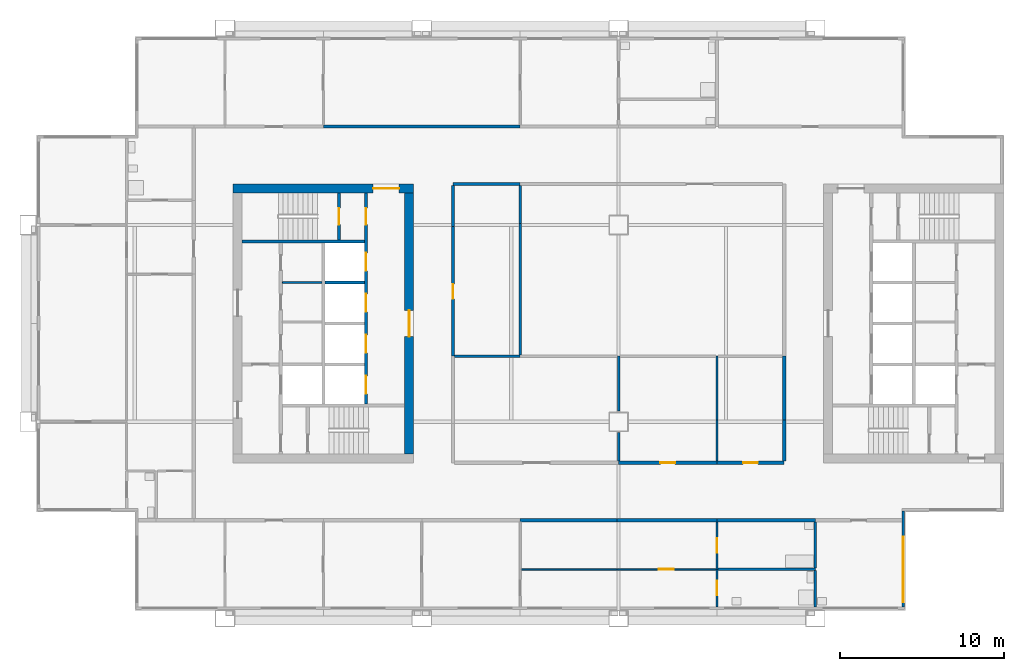
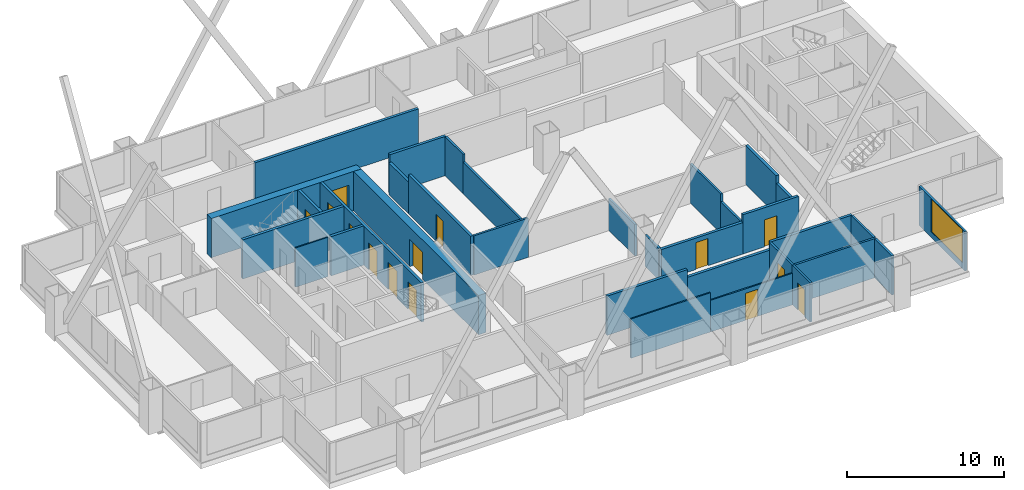
# One storey, part 4 of 9: 33 walls, 14 doors, 1 window, 15 openings.
"""IFC4 building model written with IfcOpenShell, lengths in metres."""

from ifc_helpers import new_model, si_unit, direction, frame, frame_2d, origin, place, context, subcontext, project, spatial, rectangle, extrude, material, layer, layer_set, type_object, element, fill, save


model = new_model("IFC4")

# Units and contexts
model_context = context("Model", 3, precision=1e-05, world=origin(), true_north=direction((0.0, 1.0)))
body_context = subcontext(model_context, "Body", "Model", "MODEL_VIEW")
ifc_project = project(units=[si_unit("LENGTHUNIT", "METRE"), si_unit("AREAUNIT", "SQUARE_METRE"), si_unit("VOLUMEUNIT", "CUBIC_METRE"), si_unit("PLANEANGLEUNIT", "RADIAN"), si_unit("MASSUNIT", "GRAM", prefix="KILO")], contexts=[model_context])

# Site, building, storey
site_placement = place(None, origin())
site = spatial("IfcSite", under=ifc_project, at=site_placement, CompositionType="ELEMENT")
building_placement = place(site_placement, origin())
building = spatial("IfcBuilding", under=site, at=building_placement, Name="Kitamizu Gate Tower and Museum", CompositionType="ELEMENT")
storey_placement = place(building_placement, frame((0.0, 0.0, 192.75)))
storey = spatial("IfcBuildingStorey", under=building, at=storey_placement, Name="L51", CompositionType="ELEMENT", Elevation=192.75)

# Wall, opening, door
ifc_material_1 = material(Name="Concrete Fc42", Category="concrete")
ifc_layer_1 = layer(ifc_material_1, 0.550048828125)
ifc_layer_set_1 = layer_set([ifc_layer_1], Name="Concrete Fc42")
wall_type_1 = type_object("IfcWallType", Name="Core wall 550", PredefinedType="SHEAR", material=ifc_layer_set_1)
wall_1_placement = place(storey_placement, frame((12.5, 38.22509765625, 0.0), z_axis=(0.0, 0.0, 1.0), x_axis=(1.0, 0.0, 0.0)))
wall_1 = element("IfcWall", 1, at=wall_1_placement, inside=storey, type_object=wall_type_1, Name="Core wall WN", PredefinedType="SHEAR", context=body_context, shape_type="SweptSolid", body=[
    extrude(rectangle(XDim=11.0, YDim=0.550048828125, at=frame_2d((5.5, 0.0))), origin(), (0.0, 0.0, 1.0), 3.050048828125),
])
opening_1_placement = place(wall_1_placement, frame((8.52490234375, 0.0, 0.0)))
opening_1 = element("IfcOpeningElement", 2, at=opening_1_placement, cuts=wall_1, Name="Opening L51-037", PredefinedType="OPENING", context=body_context, shape_type="SweptSolid", body=[
    extrude(rectangle(XDim=1.60009765625, YDim=2.10009765625, at=frame_2d((0.800048828125, 1.050048828125))), frame((0.0, 0.28515625, 0.0), z_axis=(0.0, -1.0, 0.0), x_axis=(1.0, 0.0, 0.0)), (0.0, 0.0, 1.0), 0.570068359375),
])
ifc_material_2 = material(Name="Timber door set", Category="wood")
door_type_1 = type_object("IfcDoorType", Name="Entrance door 1600", OperationType="DOUBLE_DOOR_SINGLE_SWING", PredefinedType="DOOR", material=ifc_material_2)
door_1_placement = place(opening_1_placement, origin())
door_1 = element("IfcDoor", 3, at=door_1_placement, inside=storey, type_object=door_type_1, Name="Lobby door L51-037", OperationType="DOUBLE_DOOR_SINGLE_SWING", OverallHeight=2.10009765625, OverallWidth=1.60009765625, PredefinedType="DOOR", context=body_context, shape_type="SweptSolid", body=[
    extrude(rectangle(XDim=1.60009765625, YDim=2.10009765625, at=frame_2d((0.800048828125, 1.050048828125))), frame((0.0, 0.02490234375, 0.0), z_axis=(0.0, -1.0, 0.0), x_axis=(1.0, 0.0, 0.0)), (0.0, 0.0, 1.0), 0.050048828125),
])
fill(opening_1, door_1)

wall_2_placement = place(storey_placement, frame((23.22509765625, 22.050048828125, 0.0), z_axis=(0.0, 0.0, 1.0), x_axis=(0.0, 1.0, 0.0)))
wall_2 = element("IfcWall", 4, at=wall_2_placement, inside=storey, type_object=wall_type_1, Name="Core wall WARC", PredefinedType="SHEAR", context=body_context, shape_type="SweptSolid", body=[
    extrude(rectangle(XDim=15.89990234375, YDim=0.550048828125, at=frame_2d((7.949951171875, 0.0))), origin(), (0.0, 0.0, 1.0), 3.050048828125),
])
opening_2_placement = place(wall_2_placement, frame((7.14990234375, 0.0, 0.0)))
opening_2 = element("IfcOpeningElement", 5, at=opening_2_placement, cuts=wall_2, Name="Opening L51-038", PredefinedType="OPENING", context=body_context, shape_type="SweptSolid", body=[
    extrude(rectangle(XDim=1.60009765625, YDim=2.10009765625, at=frame_2d((0.800048828125, 1.050048828125))), frame((0.0, 0.28515625, 0.0), z_axis=(0.0, -1.0, 0.0), x_axis=(1.0, 0.0, 0.0)), (0.0, 0.0, 1.0), 0.570068359375),
])
door_2_placement = place(opening_2_placement, origin())
door_2 = element("IfcDoor", 6, at=door_2_placement, inside=storey, type_object=door_type_1, Name="Lobby door L51-038", OperationType="DOUBLE_DOOR_SINGLE_SWING", OverallHeight=2.10009765625, OverallWidth=1.60009765625, PredefinedType="DOOR", context=body_context, shape_type="SweptSolid", body=[
    extrude(rectangle(XDim=1.60009765625, YDim=2.10009765625, at=frame_2d((0.800048828125, 1.050048828125))), frame((0.0, 0.02490234375, 0.0), z_axis=(0.0, -1.0, 0.0), x_axis=(1.0, 0.0, 0.0)), (0.0, 0.0, 1.0), 0.050048828125),
])
fill(opening_2, door_2)

# Wall
ifc_material_3 = material(Name="Gypsum board on galvanised stud")
ifc_layer_2 = layer(ifc_material_3, 0.10009765625)
ifc_layer_set_2 = layer_set([ifc_layer_2], Name="Gypsum board on galvanised stud")
wall_type_2 = type_object("IfcWallType", Name="Partition 100", PredefinedType="PARTITIONING", material=ifc_layer_set_2)
wall_3_placement = place(storey_placement, frame((15.5, 32.490966796875, 0.0), z_axis=(0.0, 0.0, 1.0), x_axis=(1.0, 0.0, 0.0)))
element("IfcWall", 7, at=wall_3_placement, inside=storey, type_object=wall_type_2, Name="Partition WPF2", PredefinedType="PARTITIONING", context=body_context, shape_type="SweptSolid", body=[
    extrude(rectangle(XDim=2.39990234375, YDim=0.10009765625, at=frame_2d((1.199951171875, 0.0))), origin(), (0.0, 0.0, 1.0), 3.050048828125),
])

# Wall, opening, door
ifc_material_4 = material(Name="Gypsum board on galvanised stud")
ifc_layer_3 = layer(ifc_material_4, 0.10009765625)
ifc_layer_set_3 = layer_set([ifc_layer_3], Name="Gypsum board on galvanised stud")
wall_type_3 = type_object("IfcWallType", Name="Partition 100 NOT RATED", PredefinedType="PARTITIONING", material=ifc_layer_set_3)
wall_4_placement = place(storey_placement, frame((41.925048828125, 15.0, 0.0), z_axis=(0.0, 0.0, 1.0), x_axis=(-1.0, 0.0, 0.0)))
wall_4 = element("IfcWall", 8, at=wall_4_placement, inside=storey, type_object=wall_type_3, Name="Partition L51-012", PredefinedType="PARTITIONING", context=body_context, shape_type="SweptSolid", body=[
    extrude(rectangle(XDim=6.025146484375, YDim=0.10009765625, at=frame_2d((3.0126953125, 0.0))), origin(), (0.0, 0.0, 1.0), 2.449951171875),
])
opening_3_placement = place(wall_4_placement, frame((2.5625, 0.0, 0.0)))
opening_3 = element("IfcOpeningElement", 9, at=opening_3_placement, cuts=wall_4, Name="Opening L51-006", PredefinedType="OPENING", context=body_context, shape_type="SweptSolid", body=[
    extrude(rectangle(XDim=0.89990234375, YDim=2.10009765625, at=frame_2d((0.449951171875, 1.050048828125))), frame((0.0, 0.06005859375, 0.0), z_axis=(0.0, -1.0, 0.0), x_axis=(1.0, 0.0, 0.0)), (0.0, 0.0, 1.0), 0.1201171875),
])
ifc_material_5 = material(Name="Timber door set", Category="wood")
door_type_2 = type_object("IfcDoorType", Name="Room door 900", OperationType="NOTDEFINED", PredefinedType="DOOR", material=ifc_material_5)
door_3_placement = place(opening_3_placement, origin())
door_3 = element("IfcDoor", 10, at=door_3_placement, inside=storey, type_object=door_type_2, Name="Door L51-006", OperationType="SINGLE_SWING_LEFT", OverallHeight=2.10009765625, OverallWidth=0.89990234375, PredefinedType="DOOR", context=body_context, shape_type="SweptSolid", body=[
    extrude(rectangle(XDim=0.89990234375, YDim=2.10009765625, at=frame_2d((0.449951171875, 1.050048828125))), frame((0.0, 0.02490234375, 0.0), z_axis=(0.0, -1.0, 0.0), x_axis=(1.0, 0.0, 0.0)), (0.0, 0.0, 1.0), 0.050048828125),
])
fill(opening_3, door_3)

# Wall
wall_5_placement = place(storey_placement, frame((35.89990234375, 15.0, 0.0), z_axis=(0.0, 0.0, 1.0), x_axis=(-1.0, 0.0, 0.0)))
element("IfcWall", 11, at=wall_5_placement, inside=storey, type_object=wall_type_3, Name="Partition L51-013", PredefinedType="PARTITIONING", context=body_context, shape_type="SweptSolid", body=[
    extrude(rectangle(XDim=5.849853515625, YDim=0.10009765625, at=frame_2d((2.9248046875, 0.0))), origin(), (0.0, 0.0, 1.0), 3.050048828125),
])

# Wall, opening, door
ifc_material_6 = material(Name="Gypsum board on galvanised stud")
ifc_layer_4 = layer(ifc_material_6, 0.14990234375)
ifc_layer_set_4 = layer_set([ifc_layer_4], Name="Gypsum board on galvanised stud")
wall_type_4 = type_object("IfcWallType", Name="Partition 150", PredefinedType="PARTITIONING", material=ifc_layer_set_4)
wall_6_placement = place(storey_placement, frame((42.0, 12.719970703125, 0.0), z_axis=(0.0, 0.0, 1.0), x_axis=(0.0, 1.0, 0.0)))
wall_6 = element("IfcWall", 12, at=wall_6_placement, inside=storey, type_object=wall_type_4, Name="Partition L51-014", PredefinedType="PARTITIONING", context=body_context, shape_type="SweptSolid", body=[
    extrude(rectangle(XDim=2.280029296875, YDim=0.14990234375, at=frame_2d((1.14013671875, 0.0))), origin(), (0.0, 0.0, 1.0), 3.050048828125),
])
opening_4_placement = place(wall_6_placement, frame((0.68994140625, 0.0, 0.0)))
opening_4 = element("IfcOpeningElement", 13, at=opening_4_placement, cuts=wall_6, Name="Opening L51-007", PredefinedType="OPENING", context=body_context, shape_type="SweptSolid", body=[
    extrude(rectangle(XDim=0.89990234375, YDim=2.10009765625, at=frame_2d((0.449951171875, 1.050048828125))), frame((0.0, 0.0849609375, 0.0), z_axis=(0.0, -1.0, 0.0), x_axis=(1.0, 0.0, 0.0)), (0.0, 0.0, 1.0), 0.169921875),
])
ifc_material_7 = material(Name="Timber door set", Category="wood")
door_type_3 = type_object("IfcDoorType", Name="Bathroom door 900", OperationType="NOTDEFINED", PredefinedType="DOOR", material=ifc_material_7)
door_4_placement = place(opening_4_placement, frame((0.89990234375, 0.0, 0.0), x_axis=(-1.0, 0.0, 0.0)))
door_4 = element("IfcDoor", 14, at=door_4_placement, inside=storey, type_object=door_type_3, Name="Bathroom door L51-007", OperationType="SINGLE_SWING_LEFT", OverallHeight=2.10009765625, OverallWidth=0.89990234375, PredefinedType="DOOR", context=body_context, shape_type="SweptSolid", body=[
    extrude(rectangle(XDim=0.89990234375, YDim=2.10009765625, at=frame_2d((0.449951171875, 1.050048828125))), frame((0.0, 0.02490234375, 0.0), z_axis=(0.0, -1.0, 0.0), x_axis=(1.0, 0.0, 0.0)), (0.0, 0.0, 1.0), 0.050048828125),
])
fill(opening_4, door_4)

wall_7_placement = place(storey_placement, frame((42.0, 15.0, 0.0), z_axis=(0.0, 0.0, 1.0), x_axis=(0.0, 1.0, 0.0)))
wall_7 = element("IfcWall", 15, at=wall_7_placement, inside=storey, type_object=wall_type_4, Name="Partition L51-015", PredefinedType="PARTITIONING", context=body_context, shape_type="SweptSolid", body=[
    extrude(rectangle(XDim=2.89990234375, YDim=0.14990234375, at=frame_2d((1.449951171875, 0.0))), origin(), (0.0, 0.0, 1.0), 3.050048828125),
])
opening_5_placement = place(wall_7_placement, frame((1.0, 0.0, 0.0)))
opening_5 = element("IfcOpeningElement", 16, at=opening_5_placement, cuts=wall_7, Name="Opening L51-008", PredefinedType="OPENING", context=body_context, shape_type="SweptSolid", body=[
    extrude(rectangle(XDim=0.89990234375, YDim=2.10009765625, at=frame_2d((0.449951171875, 1.050048828125))), frame((0.0, 0.0849609375, 0.0), z_axis=(0.0, -1.0, 0.0), x_axis=(1.0, 0.0, 0.0)), (0.0, 0.0, 1.0), 0.169921875),
])
door_5_placement = place(opening_5_placement, frame((0.89990234375, 0.0, 0.0), x_axis=(-1.0, 0.0, 0.0)))
door_5 = element("IfcDoor", 17, at=door_5_placement, inside=storey, type_object=door_type_3, Name="Bathroom door L51-008", OperationType="SINGLE_SWING_RIGHT", OverallHeight=2.10009765625, OverallWidth=0.89990234375, PredefinedType="DOOR", context=body_context, shape_type="SweptSolid", body=[
    extrude(rectangle(XDim=0.89990234375, YDim=2.10009765625, at=frame_2d((0.449951171875, 1.050048828125))), frame((0.0, 0.02490234375, 0.0), z_axis=(0.0, -1.0, 0.0), x_axis=(1.0, 0.0, 0.0)), (0.0, 0.0, 1.0), 0.050048828125),
])
fill(opening_5, door_5)

# Walls
wall_8_placement = place(storey_placement, frame((48.0, 15.0, 0.0), z_axis=(0.0, 0.0, 1.0), x_axis=(-1.0, 0.0, 0.0)))
element("IfcWall", 18, at=wall_8_placement, inside=storey, type_object=wall_type_4, Name="Partition L51-018", PredefinedType="PARTITIONING", context=body_context, shape_type="SweptSolid", body=[
    extrude(rectangle(XDim=5.925048828125, YDim=0.14990234375, at=frame_2d((2.96240234375, 0.0))), origin(), (0.0, 0.0, 1.0), 3.050048828125),
])
wall_9_placement = place(storey_placement, frame((48.0, 12.719970703125, 0.0), z_axis=(0.0, 0.0, 1.0), x_axis=(0.0, 1.0, 0.0)))
element("IfcWall", 19, at=wall_9_placement, inside=storey, type_object=wall_type_4, Name="Partition L51-019", PredefinedType="PARTITIONING", context=body_context, shape_type="SweptSolid", body=[
    extrude(rectangle(XDim=2.205078125, YDim=0.14990234375, at=frame_2d((1.1025390625, 0.0))), origin(), (0.0, 0.0, 1.0), 3.050048828125),
])
wall_10_placement = place(storey_placement, frame((48.0, 15.074951171875, 0.0), z_axis=(0.0, 0.0, 1.0), x_axis=(0.0, 1.0, 0.0)))
element("IfcWall", 20, at=wall_10_placement, inside=storey, type_object=wall_type_4, Name="Partition L51-020", PredefinedType="PARTITIONING", context=body_context, shape_type="SweptSolid", body=[
    extrude(rectangle(XDim=2.824951171875, YDim=0.14990234375, at=frame_2d((1.41259765625, 0.0))), origin(), (0.0, 0.0, 1.0), 3.050048828125),
])
wall_11_placement = place(storey_placement, frame((36.0, 21.60009765625, 0.0), z_axis=(0.0, 0.0, 1.0), x_axis=(0.0, 1.0, 0.0)))
element("IfcWall", 21, at=wall_11_placement, inside=storey, type_object=wall_type_4, Name="Partition L51-071", PredefinedType="PARTITIONING", context=body_context, shape_type="SweptSolid", body=[
    extrude(rectangle(XDim=1.75, YDim=0.14990234375, at=frame_2d((0.875, 0.0))), origin(), (0.0, 0.0, 1.0), 2.449951171875),
])
wall_12_placement = place(storey_placement, frame((36.0, 24.64990234375, 0.0), z_axis=(0.0, 0.0, 1.0), x_axis=(0.0, 1.0, 0.0)))
element("IfcWall", 22, at=wall_12_placement, inside=storey, type_object=wall_type_4, Name="Partition L51-072", PredefinedType="PARTITIONING", context=body_context, shape_type="SweptSolid", body=[
    extrude(rectangle(XDim=3.35009765625, YDim=0.14990234375, at=frame_2d((1.675048828125, 0.0))), origin(), (0.0, 0.0, 1.0), 2.449951171875),
])
wall_13_placement = place(storey_placement, frame((30.0, 28.0, 0.0), z_axis=(0.0, 0.0, 1.0), x_axis=(-1.0, 0.0, 0.0)))
element("IfcWall", 23, at=wall_13_placement, inside=storey, type_object=wall_type_4, Name="Partition L51-073", PredefinedType="PARTITIONING", context=body_context, shape_type="SweptSolid", body=[
    extrude(rectangle(XDim=4.0, YDim=0.14990234375, at=frame_2d((2.0, 0.0))), origin(), (0.0, 0.0, 1.0), 3.050048828125),
])
wall_14_placement = place(storey_placement, frame((42.0, 21.60009765625, 0.0), z_axis=(0.0, 0.0, 1.0), x_axis=(0.0, 1.0, 0.0)))
element("IfcWall", 24, at=wall_14_placement, inside=storey, type_object=wall_type_4, Name="Partition L51-075", PredefinedType="PARTITIONING", context=body_context, shape_type="SweptSolid", body=[
    extrude(rectangle(XDim=2.5, YDim=0.14990234375, at=frame_2d((1.25, 0.0))), origin(), (0.0, 0.0, 1.0), 2.449951171875),
])
wall_15_placement = place(storey_placement, frame((42.0, 24.10009765625, 0.0), z_axis=(0.0, 0.0, 1.0), x_axis=(0.0, 1.0, 0.0)))
element("IfcWall", 25, at=wall_15_placement, inside=storey, type_object=wall_type_4, Name="Partition L51-076", PredefinedType="PARTITIONING", context=body_context, shape_type="SweptSolid", body=[
    extrude(rectangle(XDim=3.89990234375, YDim=0.14990234375, at=frame_2d((1.949951171875, 0.0))), origin(), (0.0, 0.0, 1.0), 3.050048828125),
])
wall_16_placement = place(storey_placement, frame((30.0, 28.074951171875, 0.0), z_axis=(0.0, 0.0, 1.0), x_axis=(0.0, 1.0, 0.0)))
element("IfcWall", 26, at=wall_16_placement, inside=storey, type_object=wall_type_4, Name="Partition L51-079", PredefinedType="PARTITIONING", context=body_context, shape_type="SweptSolid", body=[
    extrude(rectangle(XDim=8.025146484375, YDim=0.14990234375, at=frame_2d((4.0126953125, 0.0))), origin(), (0.0, 0.0, 1.0), 2.449951171875),
])
wall_17_placement = place(storey_placement, frame((30.0, 36.10009765625, 0.0), z_axis=(0.0, 0.0, 1.0), x_axis=(0.0, 1.0, 0.0)))
element("IfcWall", 27, at=wall_17_placement, inside=storey, type_object=wall_type_4, Name="Partition L51-080", PredefinedType="PARTITIONING", context=body_context, shape_type="SweptSolid", body=[
    extrude(rectangle(XDim=2.2998046875, YDim=0.14990234375, at=frame_2d((1.14990234375, 0.0))), origin(), (0.0, 0.0, 1.0), 3.050048828125),
])
ifc_material_8 = material(Name="Gypsum board on galvanised stud")
ifc_layer_5 = layer(ifc_material_8, 0.199951171875)
ifc_layer_set_5 = layer_set([ifc_layer_5], Name="Gypsum board on galvanised stud")
wall_type_5 = type_object("IfcWallType", Name="Partition 200", PredefinedType="PARTITIONING", material=ifc_layer_set_5)
wall_18_placement = place(storey_placement, frame((42.0, 18.0, 0.0), z_axis=(0.0, 0.0, 1.0), x_axis=(-1.0, 0.0, 0.0)))
element("IfcWall", 28, at=wall_18_placement, inside=storey, type_object=wall_type_5, Name="Partition L51-016", PredefinedType="PARTITIONING", context=body_context, shape_type="SweptSolid", body=[
    extrude(rectangle(XDim=6.10009765625, YDim=0.199951171875, at=frame_2d((3.050048828125, 0.0))), origin(), (0.0, 0.0, 1.0), 2.449951171875),
])
wall_19_placement = place(storey_placement, frame((35.89990234375, 18.0, 0.0), z_axis=(0.0, 0.0, 1.0), x_axis=(-1.0, 0.0, 0.0)))
element("IfcWall", 29, at=wall_19_placement, inside=storey, type_object=wall_type_5, Name="Partition L51-017", PredefinedType="PARTITIONING", context=body_context, shape_type="SweptSolid", body=[
    extrude(rectangle(XDim=5.89990234375, YDim=0.199951171875, at=frame_2d((2.949951171875, 0.0))), origin(), (0.0, 0.0, 1.0), 3.050048828125),
])
wall_20_placement = place(storey_placement, frame((48.0, 18.0, 0.0), z_axis=(0.0, 0.0, 1.0), x_axis=(-1.0, 0.0, 0.0)))
element("IfcWall", 30, at=wall_20_placement, inside=storey, type_object=wall_type_5, Name="Partition L51-021", PredefinedType="PARTITIONING", context=body_context, shape_type="SweptSolid", body=[
    extrude(rectangle(XDim=6.0, YDim=0.199951171875, at=frame_2d((3.0, 0.0))), origin(), (0.0, 0.0, 1.0), 3.050048828125),
])
wall_21_placement = place(storey_placement, frame((18.0, 42.0, 0.0), z_axis=(0.0, 0.0, 1.0), x_axis=(1.0, 0.0, 0.0)))
element("IfcWall", 31, at=wall_21_placement, inside=storey, type_object=wall_type_5, Name="Partition L51-029", PredefinedType="PARTITIONING", context=body_context, shape_type="SweptSolid", body=[
    extrude(rectangle(XDim=12.0, YDim=0.199951171875, at=frame_2d((6.0, 0.0))), origin(), (0.0, 0.0, 1.0), 3.050048828125),
])

# Wall, opening, door
wall_22_placement = place(storey_placement, frame((36.0, 21.5, 0.0), z_axis=(0.0, 0.0, 1.0), x_axis=(1.0, 0.0, 0.0)))
wall_22 = element("IfcWall", 32, at=wall_22_placement, inside=storey, type_object=wall_type_5, Name="Partition L51-060", PredefinedType="PARTITIONING", context=body_context, shape_type="SweptSolid", body=[
    extrude(rectangle(XDim=6.0, YDim=0.199951171875, at=frame_2d((3.0, 0.0))), origin(), (0.0, 0.0, 1.0), 2.449951171875),
])
opening_6_placement = place(wall_22_placement, frame((2.550048828125, 0.0, 0.0)))
opening_6 = element("IfcOpeningElement", 33, at=opening_6_placement, cuts=wall_22, Name="Opening L51-026", PredefinedType="OPENING", context=body_context, shape_type="SweptSolid", body=[
    extrude(rectangle(XDim=0.89990234375, YDim=2.10009765625, at=frame_2d((0.449951171875, 1.050048828125))), frame((0.0, 0.10986328125, 0.0), z_axis=(0.0, -1.0, 0.0), x_axis=(1.0, 0.0, 0.0)), (0.0, 0.0, 1.0), 0.219970703125),
])
door_6_placement = place(opening_6_placement, origin())
door_6 = element("IfcDoor", 34, at=door_6_placement, inside=storey, type_object=door_type_2, Name="Door L51-026", OperationType="SINGLE_SWING_RIGHT", OverallHeight=2.10009765625, OverallWidth=0.89990234375, PredefinedType="DOOR", context=body_context, shape_type="SweptSolid", body=[
    extrude(rectangle(XDim=0.89990234375, YDim=2.10009765625, at=frame_2d((0.449951171875, 1.050048828125))), frame((0.0, 0.02490234375, 0.0), z_axis=(0.0, -1.0, 0.0), x_axis=(1.0, 0.0, 0.0)), (0.0, 0.0, 1.0), 0.050048828125),
])
fill(opening_6, door_6)

wall_23_placement = place(storey_placement, frame((42.0, 21.5, 0.0), z_axis=(0.0, 0.0, 1.0), x_axis=(1.0, 0.0, 0.0)))
wall_23 = element("IfcWall", 35, at=wall_23_placement, inside=storey, type_object=wall_type_5, Name="Partition L51-061", PredefinedType="PARTITIONING", context=body_context, shape_type="SweptSolid", body=[
    extrude(rectangle(XDim=4.10009765625, YDim=0.199951171875, at=frame_2d((2.050048828125, 0.0))), origin(), (0.0, 0.0, 1.0), 3.050048828125),
])
opening_7_placement = place(wall_23_placement, frame((1.60009765625, 0.0, 0.0)))
opening_7 = element("IfcOpeningElement", 36, at=opening_7_placement, cuts=wall_23, Name="Opening L51-027", PredefinedType="OPENING", context=body_context, shape_type="SweptSolid", body=[
    extrude(rectangle(XDim=0.89990234375, YDim=2.10009765625, at=frame_2d((0.449951171875, 1.050048828125))), frame((0.0, 0.10986328125, 0.0), z_axis=(0.0, -1.0, 0.0), x_axis=(1.0, 0.0, 0.0)), (0.0, 0.0, 1.0), 0.219970703125),
])
door_7_placement = place(opening_7_placement, origin())
door_7 = element("IfcDoor", 37, at=door_7_placement, inside=storey, type_object=door_type_2, Name="Door L51-027", OperationType="SINGLE_SWING_LEFT", OverallHeight=2.10009765625, OverallWidth=0.89990234375, PredefinedType="DOOR", context=body_context, shape_type="SweptSolid", body=[
    extrude(rectangle(XDim=0.89990234375, YDim=2.10009765625, at=frame_2d((0.449951171875, 1.050048828125))), frame((0.0, 0.02490234375, 0.0), z_axis=(0.0, -1.0, 0.0), x_axis=(1.0, 0.0, 0.0)), (0.0, 0.0, 1.0), 0.050048828125),
])
fill(opening_7, door_7)

# Walls
wall_24_placement = place(storey_placement, frame((46.10009765625, 21.60009765625, 0.0), z_axis=(0.0, 0.0, 1.0), x_axis=(0.0, 1.0, 0.0)))
element("IfcWall", 38, at=wall_24_placement, inside=storey, type_object=wall_type_5, Name="Partition L51-062", PredefinedType="PARTITIONING", context=body_context, shape_type="SweptSolid", body=[
    extrude(rectangle(XDim=2.5, YDim=0.199951171875, at=frame_2d((1.25, 0.0))), origin(), (0.0, 0.0, 1.0), 2.449951171875),
])
wall_25_placement = place(storey_placement, frame((46.10009765625, 24.10009765625, 0.0), z_axis=(0.0, 0.0, 1.0), x_axis=(0.0, 1.0, 0.0)))
element("IfcWall", 39, at=wall_25_placement, inside=storey, type_object=wall_type_5, Name="Partition L51-063", PredefinedType="PARTITIONING", context=body_context, shape_type="SweptSolid", body=[
    extrude(rectangle(XDim=3.89990234375, YDim=0.199951171875, at=frame_2d((1.949951171875, 0.0))), origin(), (0.0, 0.0, 1.0), 3.050048828125),
])
wall_26_placement = place(storey_placement, frame((30.0, 38.5, 0.0), z_axis=(0.0, 0.0, 1.0), x_axis=(-1.0, 0.0, 0.0)))
element("IfcWall", 40, at=wall_26_placement, inside=storey, type_object=wall_type_5, Name="Partition L51-064", PredefinedType="PARTITIONING", context=body_context, shape_type="SweptSolid", body=[
    extrude(rectangle(XDim=4.10009765625, YDim=0.199951171875, at=frame_2d((2.050048828125, 0.0))), origin(), (0.0, 0.0, 1.0), 3.050048828125),
])
wall_27_placement = place(storey_placement, frame((25.89990234375, 38.39990234375, 0.0), z_axis=(0.0, 0.0, 1.0), x_axis=(0.0, -1.0, 0.0)))
element("IfcWall", 41, at=wall_27_placement, inside=storey, type_object=wall_type_5, Name="Partition L51-065", PredefinedType="PARTITIONING", context=body_context, shape_type="SweptSolid", body=[
    extrude(rectangle(XDim=2.5, YDim=0.199951171875, at=frame_2d((1.25, 0.0))), origin(), (0.0, 0.0, 1.0), 2.449951171875),
])

# Wall, opening, door
wall_28_placement = place(storey_placement, frame((25.89990234375, 35.89990234375, 0.0), z_axis=(0.0, 0.0, 1.0), x_axis=(0.0, -1.0, 0.0)))
wall_28 = element("IfcWall", 42, at=wall_28_placement, inside=storey, type_object=wall_type_5, Name="Partition L51-066", PredefinedType="PARTITIONING", context=body_context, shape_type="SweptSolid", body=[
    extrude(rectangle(XDim=7.89990234375, YDim=0.199951171875, at=frame_2d((3.949951171875, 0.0))), origin(), (0.0, 0.0, 1.0), 3.050048828125),
])
opening_8_placement = place(wall_28_placement, frame((3.5, 0.0, 0.0)))
opening_8 = element("IfcOpeningElement", 43, at=opening_8_placement, cuts=wall_28, Name="Opening L51-028", PredefinedType="OPENING", context=body_context, shape_type="SweptSolid", body=[
    extrude(rectangle(XDim=0.89990234375, YDim=2.10009765625, at=frame_2d((0.449951171875, 1.050048828125))), frame((0.0, 0.10986328125, 0.0), z_axis=(0.0, -1.0, 0.0), x_axis=(1.0, 0.0, 0.0)), (0.0, 0.0, 1.0), 0.219970703125),
])
door_8_placement = place(opening_8_placement, origin())
door_8 = element("IfcDoor", 44, at=door_8_placement, inside=storey, type_object=door_type_2, Name="Door L51-028", OperationType="SINGLE_SWING_RIGHT", OverallHeight=2.10009765625, OverallWidth=0.89990234375, PredefinedType="DOOR", context=body_context, shape_type="SweptSolid", body=[
    extrude(rectangle(XDim=0.89990234375, YDim=2.10009765625, at=frame_2d((0.449951171875, 1.050048828125))), frame((0.0, 0.02490234375, 0.0), z_axis=(0.0, -1.0, 0.0), x_axis=(1.0, 0.0, 0.0)), (0.0, 0.0, 1.0), 0.050048828125),
])
fill(opening_8, door_8)

# Wall, openings, doors
ifc_material_9 = material(Name="Concrete Fc42", Category="concrete")
ifc_layer_6 = layer(ifc_material_9, 0.199951171875)
ifc_layer_set_6 = layer_set([ifc_layer_6], Name="Concrete Fc42")
wall_type_6 = type_object("IfcWallType", Name="Shaft wall 200", PredefinedType="SOLIDWALL", material=ifc_layer_set_6)
wall_29_placement = place(storey_placement, frame((20.60009765625, 25.10009765625, 0.0), z_axis=(0.0, 0.0, 1.0), x_axis=(0.0, 1.0, 0.0)))
wall_29 = element("IfcWall", 45, at=wall_29_placement, inside=storey, type_object=wall_type_6, Name="Shaft wall WEAST", PredefinedType="SOLIDWALL", context=body_context, shape_type="SweptSolid", body=[
    extrude(rectangle(XDim=12.849853515625, YDim=0.199951171875, at=frame_2d((6.4248046875, 0.0))), origin(), (0.0, 0.0, 1.0), 3.050048828125),
])
opening_9_placement = place(wall_29_placement, frame((0.60009765625, 0.0, 0.0)))
opening_9 = element("IfcOpeningElement", 46, at=opening_9_placement, cuts=wall_29, Name="Opening LD", PredefinedType="OPENING", context=body_context, shape_type="SweptSolid", body=[
    extrude(rectangle(XDim=1.10009765625, YDim=2.10009765625, at=frame_2d((0.550048828125, 1.050048828125))), frame((0.0, 0.10986328125, 0.0), z_axis=(0.0, -1.0, 0.0), x_axis=(1.0, 0.0, 0.0)), (0.0, 0.0, 1.0), 0.219970703125),
])
opening_10_placement = place(wall_29_placement, frame((3.10009765625, 0.0, 0.0)))
opening_10 = element("IfcOpeningElement", 47, at=opening_10_placement, cuts=wall_29, Name="Opening LD", PredefinedType="OPENING", context=body_context, shape_type="SweptSolid", body=[
    extrude(rectangle(XDim=1.10009765625, YDim=2.10009765625, at=frame_2d((0.550048828125, 1.050048828125))), frame((0.0, 0.10986328125, 0.0), z_axis=(0.0, -1.0, 0.0), x_axis=(1.0, 0.0, 0.0)), (0.0, 0.0, 1.0), 0.219970703125),
])
opening_11_placement = place(wall_29_placement, frame((5.60009765625, 0.0, 0.0)))
opening_11 = element("IfcOpeningElement", 48, at=opening_11_placement, cuts=wall_29, Name="Opening LD", PredefinedType="OPENING", context=body_context, shape_type="SweptSolid", body=[
    extrude(rectangle(XDim=1.10009765625, YDim=2.10009765625, at=frame_2d((0.550048828125, 1.050048828125))), frame((0.0, 0.10986328125, 0.0), z_axis=(0.0, -1.0, 0.0), x_axis=(1.0, 0.0, 0.0)), (0.0, 0.0, 1.0), 0.219970703125),
])
opening_12_placement = place(wall_29_placement, frame((8.10009765625, 0.0, 0.0)))
opening_12 = element("IfcOpeningElement", 49, at=opening_12_placement, cuts=wall_29, Name="Opening LD", PredefinedType="OPENING", context=body_context, shape_type="SweptSolid", body=[
    extrude(rectangle(XDim=1.10009765625, YDim=2.10009765625, at=frame_2d((0.550048828125, 1.050048828125))), frame((0.0, 0.10986328125, 0.0), z_axis=(0.0, -1.0, 0.0), x_axis=(1.0, 0.0, 0.0)), (0.0, 0.0, 1.0), 0.219970703125),
])
opening_13_placement = place(wall_29_placement, frame((10.925048828125, 0.0, 0.0)))
opening_13 = element("IfcOpeningElement", 50, at=opening_13_placement, cuts=wall_29, Name="Opening L51-032", PredefinedType="OPENING", context=body_context, shape_type="SweptSolid", body=[
    extrude(rectangle(XDim=1.0, YDim=2.10009765625, at=frame_2d((0.5, 1.050048828125))), frame((0.0, 0.10986328125, 0.0), z_axis=(0.0, -1.0, 0.0), x_axis=(1.0, 0.0, 0.0)), (0.0, 0.0, 1.0), 0.219970703125),
])
ifc_material_10 = material(Name="Hollow metal door set")
door_type_4 = type_object("IfcDoorType", Name="Fire door 1000", OperationType="NOTDEFINED", PredefinedType="DOOR", material=ifc_material_10)
door_9_placement = place(opening_13_placement, origin())
door_9 = element("IfcDoor", 51, at=door_9_placement, inside=storey, type_object=door_type_4, Name="Stair lobby door L51-032", OperationType="SINGLE_SWING_LEFT", OverallHeight=2.10009765625, OverallWidth=1.0, PredefinedType="DOOR", context=body_context, shape_type="SweptSolid", body=[
    extrude(rectangle(XDim=1.0, YDim=2.10009765625, at=frame_2d((0.5, 1.050048828125))), frame((0.0, 0.02490234375, 0.0), z_axis=(0.0, -1.0, 0.0), x_axis=(1.0, 0.0, 0.0)), (0.0, 0.0, 1.0), 0.050048828125),
])
fill(opening_13, door_9)
ifc_material_11 = material(Name="Hollow metal door set")
door_type_5 = type_object("IfcDoorType", Name="Landing door 1100", OperationType="SLIDING_TO_LEFT", PredefinedType="DOOR", material=ifc_material_11)
door_10_placement = place(opening_9_placement, origin())
door_10 = element("IfcDoor", 52, at=door_10_placement, inside=storey, type_object=door_type_5, Name="Landing door WSV1", OperationType="SLIDING_TO_LEFT", OverallHeight=2.10009765625, OverallWidth=1.10009765625, PredefinedType="DOOR", context=body_context, shape_type="SweptSolid", body=[
    extrude(rectangle(XDim=1.10009765625, YDim=2.10009765625, at=frame_2d((0.550048828125, 1.050048828125))), frame((0.0, 0.02490234375, 0.0), z_axis=(0.0, -1.0, 0.0), x_axis=(1.0, 0.0, 0.0)), (0.0, 0.0, 1.0), 0.050048828125),
])
fill(opening_9, door_10)
door_11_placement = place(opening_10_placement, origin())
door_11 = element("IfcDoor", 53, at=door_11_placement, inside=storey, type_object=door_type_5, Name="Landing door WH1", OperationType="SLIDING_TO_LEFT", OverallHeight=2.10009765625, OverallWidth=1.10009765625, PredefinedType="DOOR", context=body_context, shape_type="SweptSolid", body=[
    extrude(rectangle(XDim=1.10009765625, YDim=2.10009765625, at=frame_2d((0.550048828125, 1.050048828125))), frame((0.0, 0.02490234375, 0.0), z_axis=(0.0, -1.0, 0.0), x_axis=(1.0, 0.0, 0.0)), (0.0, 0.0, 1.0), 0.050048828125),
])
fill(opening_10, door_11)
door_12_placement = place(opening_11_placement, origin())
door_12 = element("IfcDoor", 54, at=door_12_placement, inside=storey, type_object=door_type_5, Name="Landing door WH2", OperationType="SLIDING_TO_LEFT", OverallHeight=2.10009765625, OverallWidth=1.10009765625, PredefinedType="DOOR", context=body_context, shape_type="SweptSolid", body=[
    extrude(rectangle(XDim=1.10009765625, YDim=2.10009765625, at=frame_2d((0.550048828125, 1.050048828125))), frame((0.0, 0.02490234375, 0.0), z_axis=(0.0, -1.0, 0.0), x_axis=(1.0, 0.0, 0.0)), (0.0, 0.0, 1.0), 0.050048828125),
])
fill(opening_11, door_12)
door_13_placement = place(opening_12_placement, origin())
door_13 = element("IfcDoor", 55, at=door_13_placement, inside=storey, type_object=door_type_5, Name="Landing door WH3", OperationType="SLIDING_TO_LEFT", OverallHeight=2.10009765625, OverallWidth=1.10009765625, PredefinedType="DOOR", context=body_context, shape_type="SweptSolid", body=[
    extrude(rectangle(XDim=1.10009765625, YDim=2.10009765625, at=frame_2d((0.550048828125, 1.050048828125))), frame((0.0, 0.02490234375, 0.0), z_axis=(0.0, -1.0, 0.0), x_axis=(1.0, 0.0, 0.0)), (0.0, 0.0, 1.0), 0.050048828125),
])
fill(opening_12, door_13)

# Wall
wall_30_placement = place(storey_placement, frame((13.050048828125, 35.0, 0.0), z_axis=(0.0, 0.0, 1.0), x_axis=(1.0, 0.0, 0.0)))
element("IfcWall", 56, at=wall_30_placement, inside=storey, type_object=wall_type_6, Name="Shaft wall WNB", PredefinedType="SOLIDWALL", context=body_context, shape_type="SweptSolid", body=[
    extrude(rectangle(XDim=7.449951171875, YDim=0.199951171875, at=frame_2d((3.72509765625, 0.0))), origin(), (0.0, 0.0, 1.0), 3.050048828125),
])

# Wall, opening, door
wall_31_placement = place(storey_placement, frame((18.949951171875, 35.10009765625, 0.0), z_axis=(0.0, 0.0, 1.0), x_axis=(0.0, 1.0, 0.0)))
wall_31 = element("IfcWall", 57, at=wall_31_placement, inside=storey, type_object=wall_type_6, Name="Shaft wall WNZ", PredefinedType="SOLIDWALL", context=body_context, shape_type="SweptSolid", body=[
    extrude(rectangle(XDim=2.849853515625, YDim=0.199951171875, at=frame_2d((1.4248046875, 0.0))), origin(), (0.0, 0.0, 1.0), 3.050048828125),
])
opening_14_placement = place(wall_31_placement, frame((0.925048828125, 0.0, 0.0)))
opening_14 = element("IfcOpeningElement", 58, at=opening_14_placement, cuts=wall_31, Name="Opening L51-033", PredefinedType="OPENING", context=body_context, shape_type="SweptSolid", body=[
    extrude(rectangle(XDim=1.0, YDim=2.10009765625, at=frame_2d((0.5, 1.050048828125))), frame((0.0, 0.10986328125, 0.0), z_axis=(0.0, -1.0, 0.0), x_axis=(1.0, 0.0, 0.0)), (0.0, 0.0, 1.0), 0.219970703125),
])
door_14_placement = place(opening_14_placement, origin())
door_14 = element("IfcDoor", 59, at=door_14_placement, inside=storey, type_object=door_type_4, Name="Stair door L51-033", OperationType="SINGLE_SWING_RIGHT", OverallHeight=2.10009765625, OverallWidth=1.0, PredefinedType="DOOR", context=body_context, shape_type="SweptSolid", body=[
    extrude(rectangle(XDim=1.0, YDim=2.10009765625, at=frame_2d((0.5, 1.050048828125))), frame((0.0, 0.02490234375, 0.0), z_axis=(0.0, -1.0, 0.0), x_axis=(1.0, 0.0, 0.0)), (0.0, 0.0, 1.0), 0.050048828125),
])
fill(opening_14, door_14)

# Wall
wall_32_placement = place(storey_placement, frame((18.10009765625, 32.5, 0.0), z_axis=(0.0, 0.0, 1.0), x_axis=(1.0, 0.0, 0.0)))
element("IfcWall", 60, at=wall_32_placement, inside=storey, type_object=wall_type_6, Name="Shaft wall WDVE2", PredefinedType="SOLIDWALL", context=body_context, shape_type="SweptSolid", body=[
    extrude(rectangle(XDim=2.39990234375, YDim=0.199951171875, at=frame_2d((1.199951171875, 0.0))), origin(), (0.0, 0.0, 1.0), 3.050048828125),
])

# Wall, opening, window
ifc_material_12 = material(Name="Bronze anodised aluminium frame with insulated spandrel and tinted glass", Category="aluminium")
ifc_layer_7 = layer(ifc_material_12, 0.14990234375)
ifc_layer_set_7 = layer_set([ifc_layer_7], Name="Bronze anodised aluminium frame with insulated spandrel and tinted glass")
wall_type_7 = type_object("IfcWallType", Name="WINDOW WALL 150 BRONZE FRAME EI 30", PredefinedType="ELEMENTEDWALL", material=ifc_layer_set_7)
wall_33_placement = place(storey_placement, frame((53.364990234375, 12.7099609375, 0.0), z_axis=(0.0, 0.0, 1.0), x_axis=(0.0, 1.0, 0.0)))
wall_33 = element("IfcWall", 61, at=wall_33_placement, inside=storey, type_object=wall_type_7, Name="Window wall east L51", PredefinedType="ELEMENTEDWALL", context=body_context, shape_type="SweptSolid", body=[
    extrude(rectangle(XDim=5.85009765625, YDim=0.14990234375, at=frame_2d((2.925048828125, 0.0))), origin(), (0.0, 0.0, 1.0), 3.050048828125),
])
opening_15_placement = place(wall_33_placement, frame((0.2900390625, 0.0, 0.449951171875)))
opening_15 = element("IfcOpeningElement", 62, at=opening_15_placement, cuts=wall_33, Name="Opening W16", PredefinedType="OPENING", context=body_context, shape_type="SweptSolid", body=[
    extrude(rectangle(XDim=4.0, YDim=2.550048828125, at=frame_2d((2.0, 1.27490234375))), frame((0.0, 0.0849609375, 0.0), z_axis=(0.0, -1.0, 0.0), x_axis=(1.0, 0.0, 0.0)), (0.0, 0.0, 1.0), 0.169921875),
])
ifc_material_13 = material(Name="Bronze anodised aluminium frame, tinted triple glazing", Category="aluminium")
window_type = type_object("IfcWindowType", Name="WINDOW 4000 x 2550 SILL 450", PartitioningType="SINGLE_PANEL", PredefinedType="WINDOW", material=ifc_material_13)
window_placement = place(opening_15_placement, origin())
window = element("IfcWindow", 63, at=window_placement, inside=storey, type_object=window_type, Name="Window W16 L51", OverallHeight=2.550048828125, OverallWidth=4.0, PartitioningType="SINGLE_PANEL", PredefinedType="WINDOW", context=body_context, shape_type="SweptSolid", body=[
    extrude(rectangle(XDim=4.0, YDim=2.550048828125, at=frame_2d((2.0, 1.27490234375))), frame((0.0, 0.030029296875, 0.0), z_axis=(0.0, -1.0, 0.0), x_axis=(1.0, 0.0, 0.0)), (0.0, 0.0, 1.0), 0.06005859375),
])
fill(opening_15, window)

save(model, "model.ifc")
